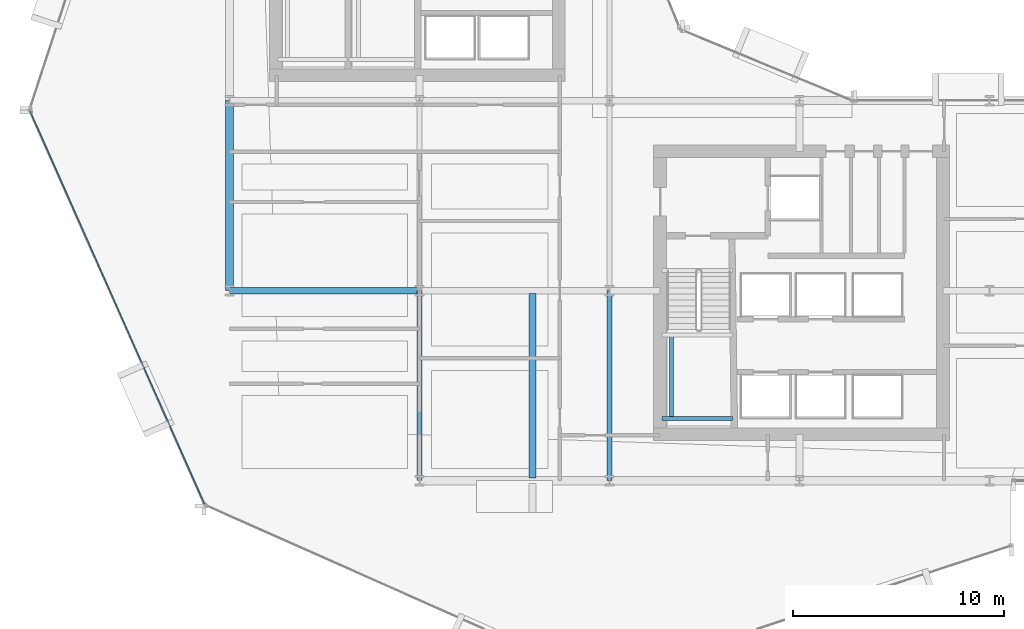
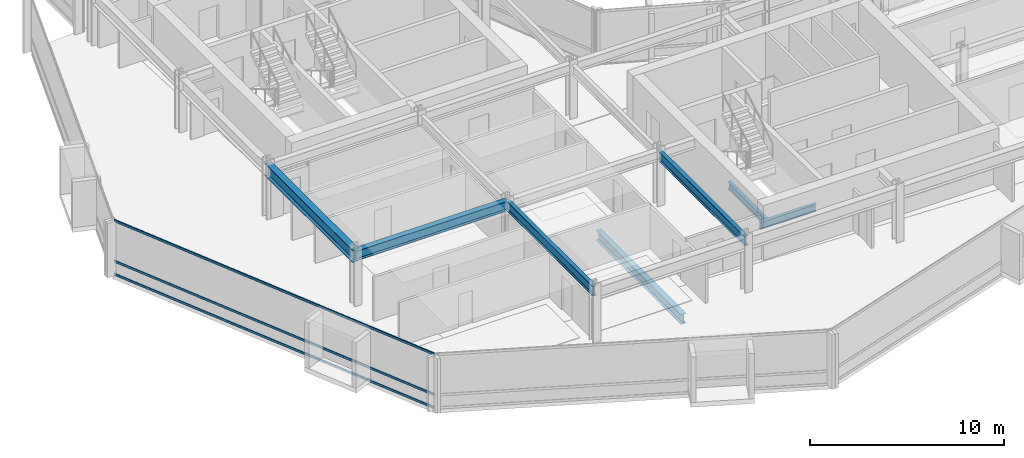
# One storey, part 5 of 34: 7 beams, 3 members, 1 element without a shape of its own.
"""IFC4 building model written with IfcOpenShell, lengths in metres."""

from ifc_helpers import new_model, si_unit, direction, frame, origin, origin_2d, place, context, subcontext, project, spatial, hollow_rectangle, i_section, extrude, material, layer, layer_set, material_profile, profile_set, type_object, element, aggregate, save


model = new_model("IFC4")

# Units and contexts
model_context = context("Model", 3, precision=1e-05, world=origin(), true_north=direction((0.0, 1.0)))
body_context = subcontext(model_context, "Body", "Model", "MODEL_VIEW")
ifc_project = project(units=[si_unit("LENGTHUNIT", "METRE"), si_unit("AREAUNIT", "SQUARE_METRE"), si_unit("VOLUMEUNIT", "CUBIC_METRE"), si_unit("PLANEANGLEUNIT", "RADIAN"), si_unit("MASSUNIT", "GRAM", prefix="KILO")], contexts=[model_context])

# Site, building, storey
site_placement = place(None, origin())
site = spatial("IfcSite", under=ifc_project, at=site_placement, CompositionType="ELEMENT")
building_placement = place(site_placement, origin())
building = spatial("IfcBuilding", under=site, at=building_placement, Name="Solvaryn Broadcast Tower", CompositionType="ELEMENT")
storey_placement = place(building_placement, frame((0.0, 0.0, 43.39990234375)))
storey = spatial("IfcBuildingStorey", under=building, at=storey_placement, Name="L09", CompositionType="ELEMENT", Elevation=43.39990234375)

# Beams
ifc_material_1 = material(Name="Steel ASTM A992 Grade 50", Category="steel")
ifc_material_profile_1 = material_profile(ifc_material_1, i_section(OverallWidth=0.323974609375, OverallDepth=0.611083984375, WebThickness=0.0126953125, FlangeThickness=0.01904296875, FilletRadius=0.014892578125, at=origin_2d()))
ifc_profile_set_1 = profile_set([ifc_material_profile_1], Name="Steel ASTM A992 Grade 50")
beam_type_1 = type_object("IfcBeamType", Name="BM-B1-W24X104", PredefinedType="BEAM", material=ifc_profile_set_1)
beam_1_placement = place(storey_placement, frame((23.35009765625, 17.875, -0.58544921875), z_axis=(0.0, -1.0, 0.0), x_axis=(1.0, 0.0, 0.0)))
element("IfcBeam", 1, at=beam_1_placement, inside=storey, type_object=beam_type_1, Name="L09 Bay-Box Back-Span Beam 1", PredefinedType="BEAM", context=body_context, shape_type="SweptSolid", body=[
    extrude(i_section(OverallWidth=0.323974609375, OverallDepth=0.611083984375, WebThickness=0.0126953125, FlangeThickness=0.01904296875, FilletRadius=0.014892578125, at=origin_2d()), origin(), (0.0, 0.0, 1.0), 8.75),
])
beam_2_placement = place(storey_placement, frame((9.0, 18.0, 3.114501953125), z_axis=(1.0, 0.0, 0.0), x_axis=(0.0, 1.0, 0.0)))
element("IfcBeam", 2, at=beam_2_placement, inside=storey, type_object=beam_type_1, Name="L09 Primary Beam X (9-18 @ Y=18)", PredefinedType="BEAM", context=body_context, shape_type="SweptSolid", body=[
    extrude(i_section(OverallWidth=0.323974609375, OverallDepth=0.611083984375, WebThickness=0.0126953125, FlangeThickness=0.01904296875, FilletRadius=0.014892578125, at=origin_2d()), origin(), (0.0, 0.0, 1.0), 9.0),
])
ifc_material_2 = material(Name="Steel ASTM A992 Grade 50", Category="steel")
ifc_material_profile_2 = material_profile(ifc_material_2, i_section(OverallWidth=0.22802734375, OverallDepth=0.60791015625, WebThickness=0.01123046875, FlangeThickness=0.017333984375, FilletRadius=0.014892578125, at=origin_2d()))
ifc_profile_set_2 = profile_set([ifc_material_profile_2], Name="Steel ASTM A992 Grade 50")
beam_type_2 = type_object("IfcBeamType", Name="BM-B2-W24X76", PredefinedType="BEAM", material=ifc_profile_set_2)
for number, where, z_axis, x_axis, name in (
    (3, (18.0, 9.0, 3.1162109375), (0.0, 1.0, 0.0), (-1.0, 0.0, 0.0), "L09 Primary Beam Y (9-18 @ X=18)"),
    (4, (27.0, 9.0, 3.1162109375), (0.0, 1.0, 0.0), (-1.0, 0.0, 0.0), "L09 Primary Beam Y (9-18 @ X=27)"),
):
    element("IfcBeam", number, at=place(storey_placement, frame(where, z_axis=z_axis, x_axis=x_axis)), inside=storey, type_object=beam_type_2, Name=name, PredefinedType="BEAM", context=body_context, shape_type="SweptSolid", body=[
        extrude(i_section(OverallWidth=0.22802734375, OverallDepth=0.60791015625, WebThickness=0.01123046875, FlangeThickness=0.017333984375, FilletRadius=0.014892578125, at=origin_2d()), origin(), (0.0, 0.0, 1.0), 9.0),
    ])
ifc_material_3 = material(Name="Steel ASTM A992 Grade 50", Category="steel")
ifc_material_profile_3 = material_profile(ifc_material_3, i_section(OverallWidth=0.18994140625, OverallDepth=0.45703125, WebThickness=0.009033203125, FlangeThickness=0.014404296875, FilletRadius=0.011962890625, at=origin_2d()))
ifc_profile_set_3 = profile_set([ifc_material_profile_3], Name="Steel ASTM A992 Grade 50")
beam_type_3 = type_object("IfcBeamType", Name="BM-B4-W18X50", PredefinedType="BEAM", material=ifc_profile_set_3)
beam_3_placement = place(storey_placement, frame((29.5, 11.949951171875, 1.421630859375), z_axis=(1.0, 0.0, 0.0), x_axis=(0.0, 1.0, 0.0)))
element("IfcBeam", 5, at=beam_3_placement, inside=storey, type_object=beam_type_3, Name="L09 ST3 Landing Support Beam 1A", PredefinedType="BEAM", context=body_context, shape_type="SweptSolid", body=[
    extrude(i_section(OverallWidth=0.18994140625, OverallDepth=0.45703125, WebThickness=0.009033203125, FlangeThickness=0.014404296875, FilletRadius=0.011962890625, at=origin_2d()), origin(), (0.0, 0.0, 1.0), 3.320068359375),
])
beam_4_placement = place(storey_placement, frame((29.949951171875, 11.949951171875, 1.421630859375), z_axis=(0.0, 1.0, 0.0), x_axis=(-1.0, 0.0, 0.0)))
element("IfcBeam", 6, at=beam_4_placement, inside=storey, type_object=beam_type_3, Name="L09 ST3 Landing Cross Stringer 1C", PredefinedType="BEAM", context=body_context, shape_type="SweptSolid", body=[
    extrude(i_section(OverallWidth=0.18994140625, OverallDepth=0.45703125, WebThickness=0.009033203125, FlangeThickness=0.014404296875, FilletRadius=0.011962890625, at=origin_2d()), origin(), (0.0, 0.0, 1.0), 3.9599609375),
])
ifc_material_4 = material(Name="Steel ASTM A992 Grade 50", Category="steel")
ifc_material_profile_4 = material_profile(ifc_material_4, i_section(OverallWidth=0.381103515625, OverallDepth=0.77294921875, WebThickness=0.0166015625, FlangeThickness=0.027099609375, FilletRadius=0.01806640625, at=origin_2d()))
ifc_profile_set_4 = profile_set([ifc_material_profile_4], Name="Steel ASTM A992 Grade 50")
beam_type_4 = type_object("IfcBeamType", Name="BM-SP1-W30X173", PredefinedType="USERDEFINED", material=ifc_profile_set_4)
beam_5_placement = place(storey_placement, frame((9.0, 18.0, 3.03369140625), z_axis=(0.0, 1.0, 0.0), x_axis=(-1.0, 0.0, 0.0)))
element("IfcBeam", 7, at=beam_5_placement, inside=storey, type_object=beam_type_4, Name="L09 Spandrel Beam Y (18-27 @ X=9)", ObjectType="SPANDREL", PredefinedType="USERDEFINED", context=body_context, shape_type="SweptSolid", body=[
    extrude(i_section(OverallWidth=0.381103515625, OverallDepth=0.77294921875, WebThickness=0.0166015625, FlangeThickness=0.027099609375, FilletRadius=0.01806640625, at=origin_2d()), origin(), (0.0, 0.0, 1.0), 9.0),
])

# Curtain wall, members
ifc_material_5 = material(Name="Aluminium and Terracotta Unitised Curtain Wall", Category="masonry")
ifc_layer = layer(ifc_material_5, 0.199951171875)
ifc_layer_set = layer_set([ifc_layer], Name="CW-SYS2-LOWMID")
curtain_wall_type = type_object("IfcCurtainWallType", Name="CW-SYS2-LOWMID", PredefinedType="NOTDEFINED", material=ifc_layer_set)
curtain_wall_placement = place(storey_placement, origin())
curtain_wall = element("IfcCurtainWall", 8, at=curtain_wall_placement, inside=storey, type_object=curtain_wall_type, Name="L09 Curtain Wall DR2", PredefinedType="NOTDEFINED")
ifc_material_6 = material(Name="Anodised Aluminium 6063-T6", Category="aluminium")
ifc_material_profile_5 = material_profile(ifc_material_6, hollow_rectangle(XDim=0.06494140625, YDim=0.14990234375, WallThickness=0.00390625, InnerFilletRadius=0.00390625, OuterFilletRadius=0.008056640625, at=origin_2d()))
ifc_profile_set_5 = profile_set([ifc_material_profile_5], Name="Anodised Aluminium 6063-T6")
member_type = type_object("IfcMemberType", Name="CW-TRN-150", PredefinedType="USERDEFINED", material=ifc_profile_set_5)
member_1_placement = place(storey_placement, frame((-0.439697265625, 26.505126953125, 0.030029296875), z_axis=(0.405905872269, -0.913914888191, 0.0), x_axis=(0.913914888191, 0.405905872269, 0.0)))
member_1 = element("IfcMember", 9, at=member_1_placement, type_object=member_type, Name="CWS2 transom 1.1", ObjectType="TRANSOM", PredefinedType="USERDEFINED", context=body_context, shape_type="SweptSolid", body=[
    extrude(hollow_rectangle(XDim=0.06494140625, YDim=0.14990234375, WallThickness=0.00390625, InnerFilletRadius=0.00390625, OuterFilletRadius=0.008056640625, at=origin_2d()), origin(), (0.0, 0.0, 1.0), 20.35546875),
])
member_2_placement = place(storey_placement, frame((-0.439697265625, 26.505126953125, 0.85009765625), z_axis=(0.405905872269, -0.913914888191, 0.0), x_axis=(0.913914888191, 0.405905872269, 0.0)))
member_2 = element("IfcMember", 10, at=member_2_placement, type_object=member_type, Name="CWS2 transom 1.2", ObjectType="TRANSOM", PredefinedType="USERDEFINED", context=body_context, shape_type="SweptSolid", body=[
    extrude(hollow_rectangle(XDim=0.06494140625, YDim=0.14990234375, WallThickness=0.00390625, InnerFilletRadius=0.00390625, OuterFilletRadius=0.008056640625, at=origin_2d()), origin(), (0.0, 0.0, 1.0), 20.35546875),
])
member_3_placement = place(storey_placement, frame((-0.439697265625, 26.505126953125, 3.39013671875), z_axis=(0.405905872269, -0.913914888191, 0.0), x_axis=(0.913914888191, 0.405905872269, 0.0)))
member_3 = element("IfcMember", 11, at=member_3_placement, type_object=member_type, Name="CWS2 transom 1.3", ObjectType="TRANSOM", PredefinedType="USERDEFINED", context=body_context, shape_type="SweptSolid", body=[
    extrude(hollow_rectangle(XDim=0.06494140625, YDim=0.14990234375, WallThickness=0.00390625, InnerFilletRadius=0.00390625, OuterFilletRadius=0.008056640625, at=origin_2d()), origin(), (0.0, 0.0, 1.0), 20.35546875),
])
aggregate(curtain_wall, [member_1, member_2, member_3])

save(model, "model.ifc")
